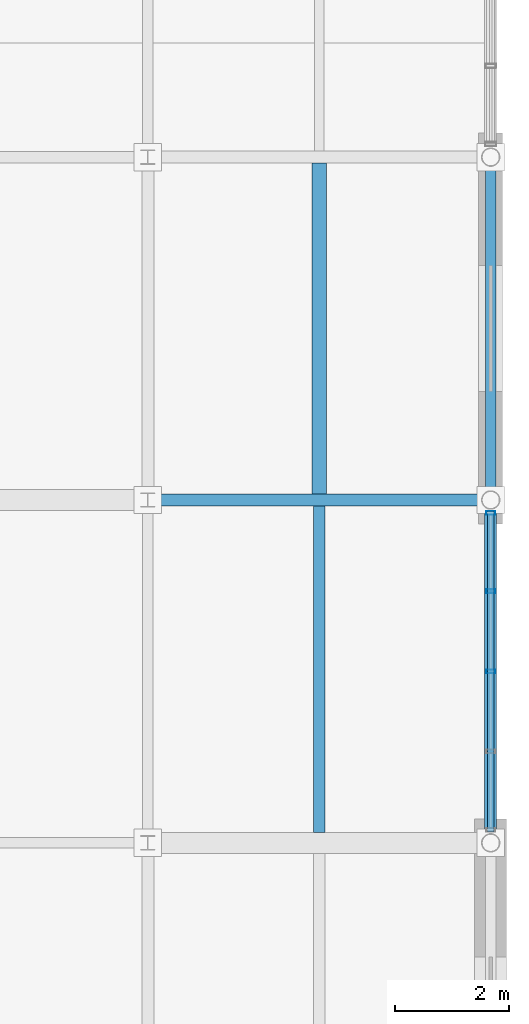
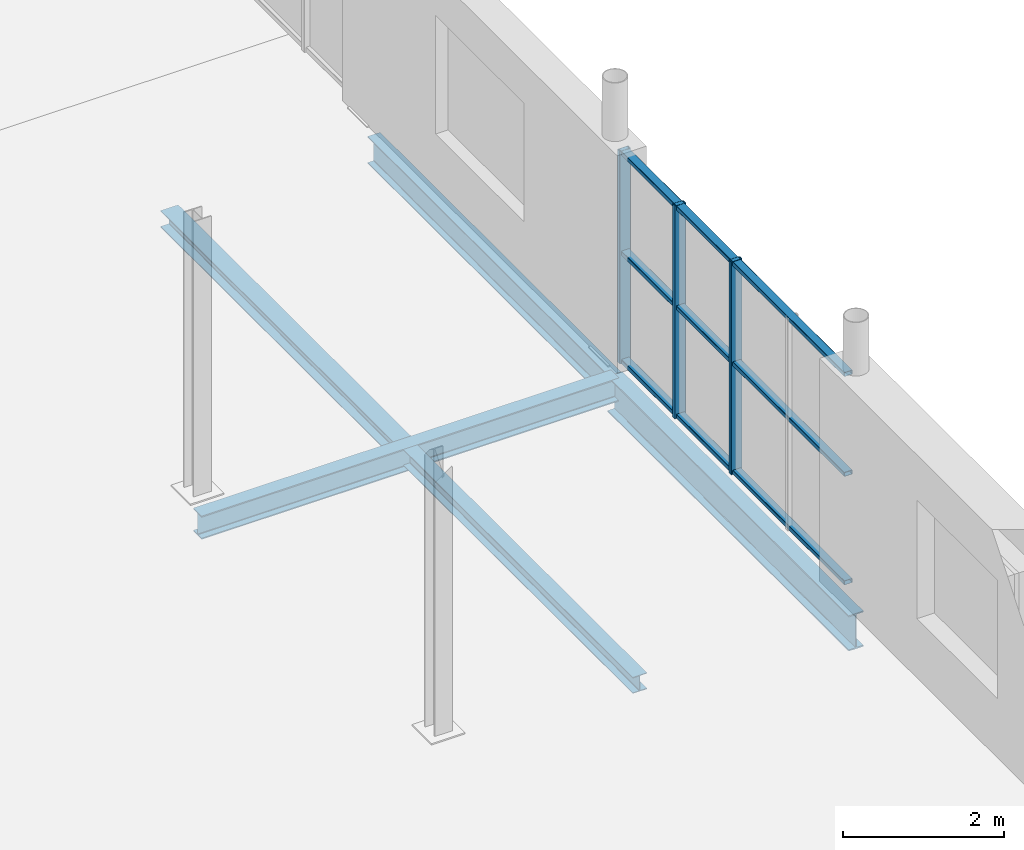
# One storey, part 14 of 30: 6 members, 5 beams, 1 element without a shape of its own.
"""IFC4 building model written with IfcOpenShell, lengths in metres."""

from ifc_helpers import new_model, si_unit, direction, frame, origin, origin_2d, place, context, subcontext, project, spatial, hollow_rectangle, i_section, extrude, material, material_profile, profile_set, type_object, element, aggregate, save


model = new_model("IFC4")

# Units and contexts
model_context = context("Model", 3, precision=1e-05, world=origin(), true_north=direction((0.0, 1.0)))
body_context = subcontext(model_context, "Body", "Model", "MODEL_VIEW")
ifc_project = project(units=[si_unit("LENGTHUNIT", "METRE"), si_unit("AREAUNIT", "SQUARE_METRE"), si_unit("VOLUMEUNIT", "CUBIC_METRE"), si_unit("PLANEANGLEUNIT", "RADIAN"), si_unit("MASSUNIT", "GRAM", prefix="KILO")], contexts=[model_context])

# Site, building, storey
site_placement = place(None, origin())
site = spatial("IfcSite", under=ifc_project, at=site_placement, CompositionType="ELEMENT")
building_placement = place(site_placement, origin())
building = spatial("IfcBuilding", under=site, at=building_placement, Name="Verrall Gate Interchange", CompositionType="ELEMENT")
storey_placement = place(building_placement, frame((0.0, 0.0, 19.39990234375)))
storey = spatial("IfcBuildingStorey", under=building, at=storey_placement, Name="L05", CompositionType="ELEMENT", Elevation=19.39990234375)

# Beams
ifc_material_1 = material(Name="Structural Steel CSA G40.21 350W", Category="steel")
ifc_material_profile_1 = material_profile(ifc_material_1, i_section(OverallWidth=0.2109375, OverallDepth=0.5390625, WebThickness=0.01171875, FlangeThickness=0.018798828125, FilletRadius=0.013916015625, at=origin_2d()), Name="W530x109")
ifc_profile_set_1 = profile_set([ifc_material_profile_1], Name="Structural Steel CSA G40.21 350W")
beam_type_1 = type_object("IfcBeamType", Name="B-10 Structural Beam W530x109", PredefinedType="BEAM", material=ifc_profile_set_1)
beam_1_placement = place(storey_placement, frame((36.0, 22.0, -0.599365234375), z_axis=(0.0, 1.0, 0.0), x_axis=(-1.0, 0.0, 0.0)))
element("IfcBeam", 1, at=beam_1_placement, inside=storey, type_object=beam_type_1, Name="L05 Girder BM-L05-2996 (B-10)", PredefinedType="BEAM", context=body_context, shape_type="SweptSolid", body=[
    extrude(i_section(OverallWidth=0.2109375, OverallDepth=0.5390625, WebThickness=0.01171875, FlangeThickness=0.018798828125, FilletRadius=0.013916015625, at=origin_2d()), origin(), (0.0, 0.0, 1.0), 6.0),
])
ifc_material_2 = material(Name="Structural Steel CSA G40.21 350W", Category="steel")
ifc_material_profile_2 = material_profile(ifc_material_2, i_section(OverallWidth=0.178955078125, OverallDepth=0.409912109375, WebThickness=0.0087890625, FlangeThickness=0.014404296875, FilletRadius=0.011962890625, at=origin_2d()), Name="W410x67")
ifc_profile_set_2 = profile_set([ifc_material_profile_2], Name="Structural Steel CSA G40.21 350W")
beam_type_2 = type_object("IfcBeamType", Name="B-12 Structural Beam W410x67", PredefinedType="BEAM", material=ifc_profile_set_2)
beam_2_placement = place(storey_placement, frame((36.0, 28.0, -0.534912109375), z_axis=(0.0, 1.0, 0.0), x_axis=(-1.0, 0.0, 0.0)))
element("IfcBeam", 2, at=beam_2_placement, inside=storey, type_object=beam_type_2, Name="L05 Girder BM-L05-2997 (B-12)", PredefinedType="BEAM", context=body_context, shape_type="SweptSolid", body=[
    extrude(i_section(OverallWidth=0.178955078125, OverallDepth=0.409912109375, WebThickness=0.0087890625, FlangeThickness=0.014404296875, FilletRadius=0.011962890625, at=origin_2d()), origin(), (0.0, 0.0, 1.0), 6.0),
])
ifc_material_3 = material(Name="Structural Steel CSA G40.21 350W", Category="steel")
ifc_material_profile_3 = material_profile(ifc_material_3, i_section(OverallWidth=0.205078125, OverallDepth=0.35400390625, WebThickness=0.009521484375, FlangeThickness=0.016845703125, FilletRadius=0.012939453125, at=origin_2d()), Name="W360x79")
ifc_profile_set_3 = profile_set([ifc_material_profile_3], Name="Structural Steel CSA G40.21 350W")
beam_type_3 = type_object("IfcBeamType", Name="B-14 Structural Beam W360x79", PredefinedType="BEAM", material=ifc_profile_set_3)
beam_3_placement = place(storey_placement, frame((30.0, 28.0, -0.5068359375), z_axis=(1.0, 0.0, 0.0), x_axis=(0.0, 1.0, 0.0)))
element("IfcBeam", 3, at=beam_3_placement, inside=storey, type_object=beam_type_3, Name="L05 Girder BM-L05-2880 (B-14)", PredefinedType="BEAM", context=body_context, shape_type="SweptSolid", body=[
    extrude(i_section(OverallWidth=0.205078125, OverallDepth=0.35400390625, WebThickness=0.009521484375, FlangeThickness=0.016845703125, FilletRadius=0.012939453125, at=origin_2d()), origin(), (0.0, 0.0, 1.0), 6.0),
])

# Curtain wall, members
ifc_material_4 = material(Name="Thermally Broken Anodized Aluminium Curtain Wall Framing", Category="aluminium")
curtain_wall_type = type_object("IfcCurtainWallType", Name="CW-42 Unitized Curtain Wall 5612x3230", PredefinedType="NOTDEFINED", material=ifc_material_4)
curtain_wall_placement = place(storey_placement, origin())
curtain_wall = element("IfcCurtainWall", 4, at=curtain_wall_placement, inside=storey, type_object=curtain_wall_type, Name="L05 Unitized Curtain Wall CW-L05-134", PredefinedType="NOTDEFINED")
ifc_material_5 = material(Name="Thermally Broken Anodized Aluminium Curtain Wall Framing", Category="aluminium")
ifc_material_profile_4 = material_profile(ifc_material_5, hollow_rectangle(XDim=0.06494140625, YDim=0.159912109375, WallThickness=0.00390625, InnerFilletRadius=0.00390625, OuterFilletRadius=0.008056640625, at=origin_2d()), Name="CWM160x65x4")
ifc_profile_set_4 = profile_set([ifc_material_profile_4], Name="Thermally Broken Anodized Aluminium Curtain Wall Framing")
member_type_1 = type_object("IfcMemberType", Name="CM-01 Curtain Mullion CWM160x65x4", PredefinedType="MULLION", material=ifc_profile_set_4)
member_1_placement = place(storey_placement, frame((36.0, 25.0, 0.0), z_axis=(0.0, 0.0, 1.0), x_axis=(0.0, 1.0, 0.0)))
member_1 = element("IfcMember", 5, at=member_1_placement, type_object=member_type_1, Name="CW-L05-134 Mullion 3", PredefinedType="MULLION", context=body_context, shape_type="SweptSolid", body=[
    extrude(hollow_rectangle(XDim=0.06494140625, YDim=0.159912109375, WallThickness=0.00390625, InnerFilletRadius=0.00390625, OuterFilletRadius=0.008056640625, at=origin_2d()), origin(), (0.0, 0.0, 1.0), 3.22998046875),
])
member_2_placement = place(storey_placement, frame((36.0, 26.403076171875, 0.0), z_axis=(0.0, 0.0, 1.0), x_axis=(0.0, 1.0, 0.0)))
member_2 = element("IfcMember", 6, at=member_2_placement, type_object=member_type_1, Name="CW-L05-134 Mullion 4", PredefinedType="MULLION", context=body_context, shape_type="SweptSolid", body=[
    extrude(hollow_rectangle(XDim=0.06494140625, YDim=0.159912109375, WallThickness=0.00390625, InnerFilletRadius=0.00390625, OuterFilletRadius=0.008056640625, at=origin_2d()), origin(), (0.0, 0.0, 1.0), 3.22998046875),
])
member_3_placement = place(storey_placement, frame((36.0, 27.773681640625, 0.0), z_axis=(0.0, 0.0, 1.0), x_axis=(0.0, 1.0, 0.0)))
member_3 = element("IfcMember", 7, at=member_3_placement, type_object=member_type_1, Name="CW-L05-134 Mullion 5", PredefinedType="MULLION", context=body_context, shape_type="SweptSolid", body=[
    extrude(hollow_rectangle(XDim=0.06494140625, YDim=0.159912109375, WallThickness=0.00390625, InnerFilletRadius=0.00390625, OuterFilletRadius=0.008056640625, at=origin_2d()), origin(), (0.0, 0.0, 1.0), 3.22998046875),
])
ifc_material_6 = material(Name="Thermally Broken Anodized Aluminium Curtain Wall Framing", Category="aluminium")
ifc_material_profile_5 = material_profile(ifc_material_6, hollow_rectangle(XDim=0.1201171875, YDim=0.06494140625, WallThickness=0.00390625, InnerFilletRadius=0.00390625, OuterFilletRadius=0.008056640625, at=origin_2d()), Name="CWT120x65x4")
ifc_profile_set_5 = profile_set([ifc_material_profile_5], Name="Thermally Broken Anodized Aluminium Curtain Wall Framing")
member_type_2 = type_object("IfcMemberType", Name="CT-01 Curtain Transom CWT120x65x4", PredefinedType="USERDEFINED", material=ifc_profile_set_5)
member_4_placement = place(storey_placement, frame((36.0, 22.194091796875, 0.03271484375), z_axis=(0.0, 1.0, 0.0), x_axis=(-1.0, 0.0, 0.0)))
member_4 = element("IfcMember", 8, at=member_4_placement, type_object=member_type_2, Name="CW-L05-134 Transom 1", ObjectType="TRANSOM", PredefinedType="USERDEFINED", context=body_context, shape_type="SweptSolid", body=[
    extrude(hollow_rectangle(XDim=0.1201171875, YDim=0.06494140625, WallThickness=0.00390625, InnerFilletRadius=0.00390625, OuterFilletRadius=0.008056640625, at=origin_2d()), origin(), (0.0, 0.0, 1.0), 5.612060546875),
])
member_5_placement = place(storey_placement, frame((36.0, 22.194091796875, 1.6796875), z_axis=(0.0, 1.0, 0.0), x_axis=(-1.0, 0.0, 0.0)))
member_5 = element("IfcMember", 9, at=member_5_placement, type_object=member_type_2, Name="CW-L05-134 Transom 2", ObjectType="TRANSOM", PredefinedType="USERDEFINED", context=body_context, shape_type="SweptSolid", body=[
    extrude(hollow_rectangle(XDim=0.1201171875, YDim=0.06494140625, WallThickness=0.00390625, InnerFilletRadius=0.00390625, OuterFilletRadius=0.008056640625, at=origin_2d()), origin(), (0.0, 0.0, 1.0), 5.612060546875),
])
member_6_placement = place(storey_placement, frame((36.0, 22.194091796875, 3.197509765625), z_axis=(0.0, 1.0, 0.0), x_axis=(-1.0, 0.0, 0.0)))
member_6 = element("IfcMember", 10, at=member_6_placement, type_object=member_type_2, Name="CW-L05-134 Transom 3", ObjectType="TRANSOM", PredefinedType="USERDEFINED", context=body_context, shape_type="SweptSolid", body=[
    extrude(hollow_rectangle(XDim=0.1201171875, YDim=0.06494140625, WallThickness=0.00390625, InnerFilletRadius=0.00390625, OuterFilletRadius=0.008056640625, at=origin_2d()), origin(), (0.0, 0.0, 1.0), 5.612060546875),
])
aggregate(curtain_wall, [member_1, member_2, member_3, member_4, member_5, member_6])

# Beams
ifc_material_7 = material(Name="Structural Steel CSA G40.21 350W", Category="steel")
ifc_material_profile_6 = material_profile(ifc_material_7, i_section(OverallWidth=0.25390625, OverallDepth=0.2529296875, WebThickness=0.008544921875, FlangeThickness=0.01416015625, FilletRadius=0.011962890625, at=origin_2d()), Name="W250x73")
ifc_profile_set_6 = profile_set([ifc_material_profile_6], Name="Structural Steel CSA G40.21 350W")
beam_type_4 = type_object("IfcBeamType", Name="J-05 Floor Joist W250x73", PredefinedType="JOIST", material=ifc_profile_set_6)
beam_4_placement = place(storey_placement, frame((33.0, 28.1025390625, -0.456298828125), z_axis=(0.0, 1.0, 0.0), x_axis=(-1.0, 0.0, 0.0)))
element("IfcBeam", 11, at=beam_4_placement, inside=storey, type_object=beam_type_4, Name="L05 Secondary Floor Joist JST-L05-3028", PredefinedType="JOIST", context=body_context, shape_type="SweptSolid", body=[
    extrude(i_section(OverallWidth=0.25390625, OverallDepth=0.2529296875, WebThickness=0.008544921875, FlangeThickness=0.01416015625, FilletRadius=0.011962890625, at=origin_2d()), origin(), (0.0, 0.0, 1.0), 5.7919921875),
])
ifc_material_8 = material(Name="Structural Steel CSA G40.21 350W", Category="steel")
ifc_material_profile_7 = material_profile(ifc_material_8, i_section(OverallWidth=0.201904296875, OverallDepth=0.2470703125, WebThickness=0.00732421875, FlangeThickness=0.010986328125, FilletRadius=0.010986328125, at=origin_2d()), Name="W250x49")
ifc_profile_set_7 = profile_set([ifc_material_profile_7], Name="Structural Steel CSA G40.21 350W")
beam_type_5 = type_object("IfcBeamType", Name="J-06 Floor Joist W250x49", PredefinedType="JOIST", material=ifc_profile_set_7)
beam_5_placement = place(storey_placement, frame((33.0, 22.1845703125, -0.453369140625), z_axis=(0.0, 1.0, 0.0), x_axis=(-1.0, 0.0, 0.0)))
element("IfcBeam", 12, at=beam_5_placement, inside=storey, type_object=beam_type_5, Name="L05 Secondary Floor Joist JST-L05-3024", PredefinedType="JOIST", context=body_context, shape_type="SweptSolid", body=[
    extrude(i_section(OverallWidth=0.201904296875, OverallDepth=0.2470703125, WebThickness=0.00732421875, FlangeThickness=0.010986328125, FilletRadius=0.010986328125, at=origin_2d()), origin(), (0.0, 0.0, 1.0), 5.712890625),
])

save(model, "model.ifc")
